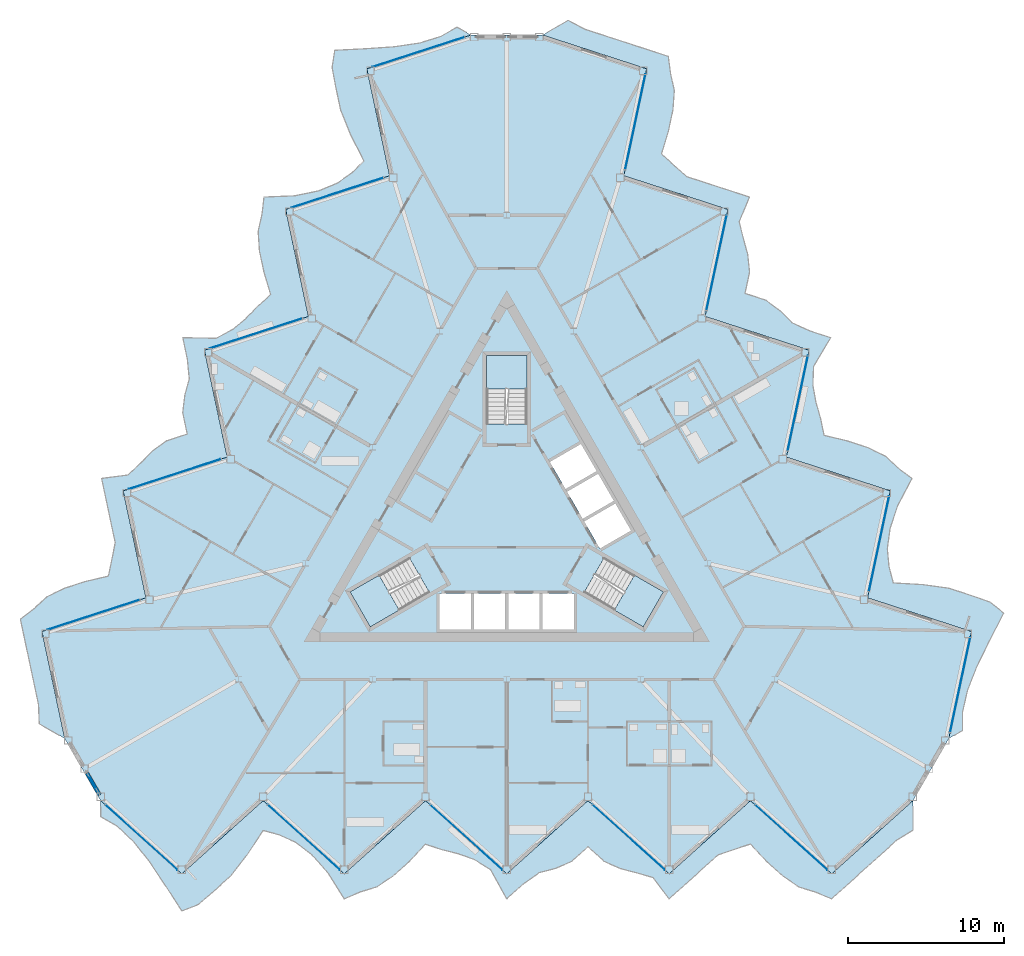
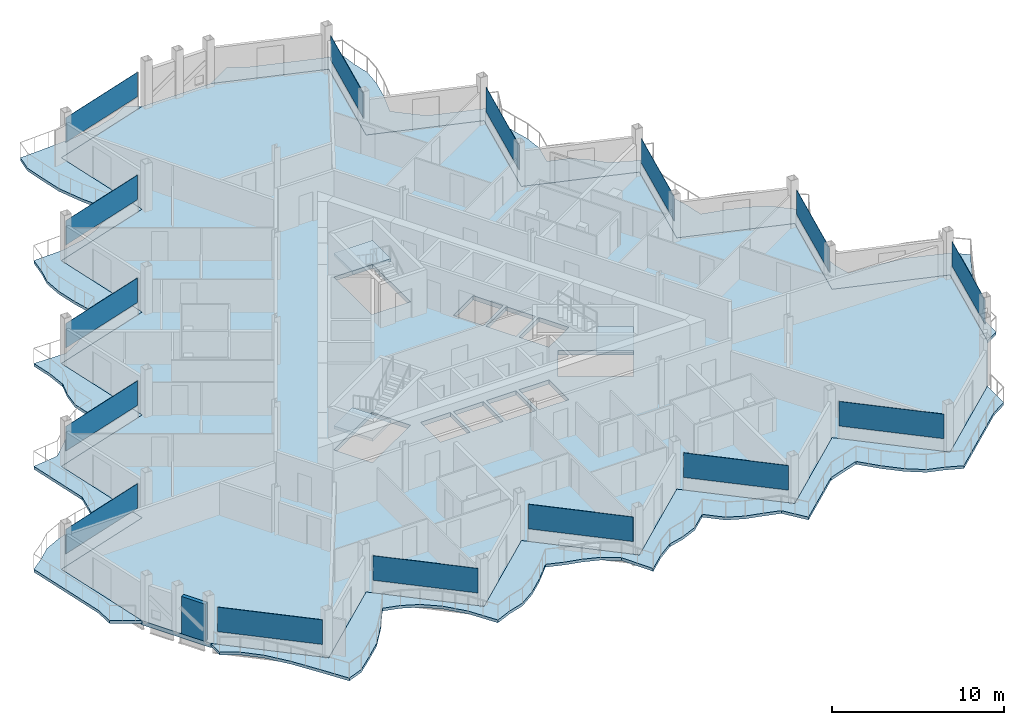
# One storey, part 11 of 25: 15 plates, 7 slabs, 1 wall, 18 elements without a shape of their own.
"""IFC4 building model written with IfcOpenShell, lengths in metres."""

from ifc_helpers import new_model, si_unit, direction, frame, frame_2d, origin, origin_2d, place, context, subcontext, project, spatial, polyline, rectangle, outline, extrude, material, layer, layer_set, type_object, element, aggregate, save


model = new_model("IFC4")

# Units and contexts
model_context = context("Model", 3, precision=1e-05, world=origin(), true_north=direction((0.0, 1.0)))
body_context = subcontext(model_context, "Body", "Model", "MODEL_VIEW")
ifc_project = project(units=[si_unit("LENGTHUNIT", "METRE"), si_unit("AREAUNIT", "SQUARE_METRE"), si_unit("VOLUMEUNIT", "CUBIC_METRE"), si_unit("PLANEANGLEUNIT", "RADIAN"), si_unit("MASSUNIT", "GRAM", prefix="KILO")], contexts=[model_context])

# Site, building, storey
site_placement = place(None, origin())
site = spatial("IfcSite", under=ifc_project, at=site_placement, CompositionType="ELEMENT")
building_placement = place(site_placement, origin())
building = spatial("IfcBuilding", under=site, at=building_placement, Name="Cormorant Prow Tower", CompositionType="ELEMENT")
storey_placement = place(building_placement, frame((0.0, 0.0, 395.0)))
storey = spatial("IfcBuildingStorey", under=building, at=storey_placement, Name="L90", CompositionType="ELEMENT", Elevation=395.0)

# Slabs
ifc_material_1 = material(Name="Concrete C40/50", Category="concrete")
ifc_layer_1 = layer(ifc_material_1, 0.199951171875)
ifc_layer_set_1 = layer_set([ifc_layer_1], Name="Concrete C40/50")
slab_type_1 = type_object("IfcSlabType", Name="Balcony slab 200", PredefinedType="FLOOR", material=ifc_layer_set_1)
slab_1_placement = place(storey_placement, frame((0.0, 0.0, -0.199951171875)))
element("IfcSlab", 1, at=slab_1_placement, inside=storey, type_object=slab_type_1, Name="Balcony slab S L90", PredefinedType="FLOOR", context=body_context, shape_type="SweptSolid", body=[
    extrude(outline(polyline([(-26.0, -17.664794921875), (-26.0, -18.680908203125), (-24.9599609375, -19.285888671875), (-23.919921875, -20.24853515625), (-22.8798828125, -21.5615234375), (-21.840087890625, -23.11376953125), (-20.800048828125, -24.72412109375), (-19.760009765625, -24.32080078125), (-18.719970703125, -23.424072265625), (-17.679931640625, -22.487548828125), (-16.639892578125, -21.15625), (-15.60009765625, -19.5673828125), (-14.56005859375, -19.8505859375), (-13.52001953125, -20.325439453125), (-12.47998046875, -21.127685546875), (-11.43994140625, -22.297119140625), (-10.39990234375, -23.94677734375), (-9.360107421875, -23.501708984375), (-8.320068359375, -23.182373046875), (-7.280029296875, -22.487548828125), (-6.239990234375, -21.55126953125), (-5.199951171875, -20.452392578125), (-4.159912109375, -20.79833984375), (-3.1201171875, -21.056884765625), (-2.080078125, -21.427490234375), (-1.0400390625, -22.076904296875), (0.0, -23.94677734375), (1.0400390625, -23.010498046875), (2.080078125, -22.268798828125), (3.1201171875, -21.99853515625), (4.159912109375, -21.55126953125), (5.199951171875, -20.61474609375), (6.239990234375, -21.55126953125), (7.280029296875, -22.0126953125), (8.320068359375, -22.28466796875), (9.360107421875, -22.5830078125), (10.39990234375, -23.94677734375), (11.43994140625, -23.010498046875), (12.47998046875, -22.073974609375), (13.52001953125, -21.1376953125), (14.56005859375, -20.782958984375), (15.60009765625, -20.441162109375), (16.639892578125, -21.55126953125), (17.679931640625, -22.487548828125), (18.719970703125, -23.194580078125), (19.760009765625, -23.517578125), (20.800048828125, -23.94677734375), (21.840087890625, -23.010498046875), (22.8798828125, -22.073974609375), (23.919921875, -21.1376953125), (24.9599609375, -20.201171875), (26.0, -19.551513671875), (26.0, -17.664794921875), (24.9599609375, -18.601318359375), (23.919921875, -19.53759765625), (22.8798828125, -20.47412109375), (21.840087890625, -21.410400390625), (20.800048828125, -22.346923828125), (19.760009765625, -21.410400390625), (18.719970703125, -20.47412109375), (17.679931640625, -19.53759765625), (16.639892578125, -18.601318359375), (15.60009765625, -17.664794921875), (14.56005859375, -18.601318359375), (13.52001953125, -19.53759765625), (12.47998046875, -20.47412109375), (11.43994140625, -21.410400390625), (10.39990234375, -22.346923828125), (9.360107421875, -21.410400390625), (8.320068359375, -20.47412109375), (7.280029296875, -19.53759765625), (6.239990234375, -18.601318359375), (5.199951171875, -17.664794921875), (4.159912109375, -18.601318359375), (3.1201171875, -19.53759765625), (2.080078125, -20.47412109375), (1.0400390625, -21.410400390625), (0.0, -22.346923828125), (-1.0400390625, -21.410400390625), (-2.080078125, -20.47412109375), (-3.1201171875, -19.53759765625), (-4.159912109375, -18.601318359375), (-5.199951171875, -17.664794921875), (-6.239990234375, -18.601318359375), (-7.280029296875, -19.53759765625), (-8.320068359375, -20.47412109375), (-9.360107421875, -21.410400390625), (-10.39990234375, -22.346923828125), (-11.43994140625, -21.410400390625), (-12.47998046875, -20.47412109375), (-13.52001953125, -19.53759765625), (-14.56005859375, -18.601318359375), (-15.60009765625, -17.664794921875), (-16.639892578125, -18.601318359375), (-17.679931640625, -19.53759765625), (-18.719970703125, -20.47412109375), (-19.760009765625, -21.410400390625), (-20.800048828125, -22.346923828125), (-21.840087890625, -21.410400390625), (-22.8798828125, -20.47412109375), (-23.919921875, -19.53759765625), (-24.9599609375, -18.601318359375), (-26.0, -17.664794921875)])), origin(), (0.0, 0.0, 1.0), 0.199951171875),
])
slab_2_placement = place(storey_placement, frame((0.0, 0.0, -0.199951171875)))
element("IfcSlab", 2, at=slab_2_placement, inside=storey, type_object=slab_type_1, Name="Balcony slab ENE L90", PredefinedType="FLOOR", context=body_context, shape_type="SweptSolid", body=[
    extrude(outline(polyline([(28.298095703125, -13.684326171875), (29.17822265625, -13.17626953125), (29.181884765625, -11.97314453125), (29.495849609375, -10.591064453125), (30.113037109375, -9.033935546875), (30.937255859375, -7.357177734375), (31.8115234375, -5.6513671875), (30.9423828125, -4.9521484375), (29.645751953125, -4.5), (28.31494140625, -4.067626953125), (26.641845703125, -3.83251953125), (24.745849609375, -3.726318359375), (24.47119140625, -2.68408203125), (24.3623046875, -1.5458984375), (24.537109375, -0.244140625), (25.02978515625, 1.2412109375), (25.938720703125, 2.966796875), (25.033203125, 3.64501953125), (24.236572265625, 4.385986328125), (23.11474609375, 4.939208984375), (21.783935546875, 5.37158203125), (20.312255859375, 5.722900390625), (20.092041015625, 6.796630859375), (19.7958984375, 7.826416015625), (19.5966796875, 8.912353515625), (19.63916015625, 10.1376953125), (20.738525390625, 11.973388671875), (19.40771484375, 12.406005859375), (18.245361328125, 12.935791015625), (17.4912109375, 13.701171875), (16.583984375, 14.378173828125), (15.2529296875, 14.810791015625), (15.5439453125, 16.1796875), (15.423583984375, 17.31103515625), (15.13916015625, 18.34765625), (14.87744140625, 19.3974609375), (15.53857421875, 20.980224609375), (14.207763671875, 21.41259765625), (12.876708984375, 21.844970703125), (11.545654296875, 22.277587890625), (10.718505859375, 23.000732421875), (9.902587890625, 23.73046875), (10.343994140625, 25.186279296875), (10.634765625, 26.55517578125), (10.72705078125, 27.809326171875), (10.48681640625, 28.871337890625), (10.338623046875, 29.98681640625), (9.007568359375, 30.419189453125), (7.6767578125, 30.851806640625), (6.345703125, 31.2841796875), (5.0146484375, 31.716552734375), (3.93212890625, 32.29248046875), (2.298095703125, 31.34912109375), (3.629150390625, 30.91650390625), (4.9599609375, 30.484130859375), (6.291015625, 30.0517578125), (7.6220703125, 29.619140625), (8.952880859375, 29.186767578125), (8.662109375, 27.81787109375), (8.37109375, 26.448974609375), (8.080078125, 25.080078125), (7.7890625, 23.711181640625), (7.498046875, 22.34228515625), (8.8291015625, 21.909912109375), (10.16015625, 21.4775390625), (11.490966796875, 21.044921875), (12.822021484375, 20.612548828125), (14.153076171875, 20.18017578125), (13.862060546875, 18.811279296875), (13.571044921875, 17.4423828125), (13.280029296875, 16.073486328125), (12.989013671875, 14.70458984375), (12.6982421875, 13.335693359375), (14.029052734375, 12.9033203125), (15.360107421875, 12.470703125), (16.691162109375, 12.038330078125), (18.02197265625, 11.60595703125), (19.35302734375, 11.17333984375), (19.06201171875, 9.8046875), (18.77099609375, 8.435791015625), (18.47998046875, 7.06689453125), (18.189208984375, 5.697998046875), (17.898193359375, 4.3291015625), (19.22900390625, 3.896484375), (20.56005859375, 3.464111328125), (21.89111328125, 3.03173828125), (23.221923828125, 2.59912109375), (24.552978515625, 2.166748046875), (24.261962890625, 0.7978515625), (23.970947265625, -0.571044921875), (23.68017578125, -1.93994140625), (23.38916015625, -3.308837890625), (23.09814453125, -4.677490234375), (24.42919921875, -5.110107421875), (25.760009765625, -5.54248046875), (27.091064453125, -5.974853515625), (28.422119140625, -6.407470703125), (29.7529296875, -6.83984375), (29.4619140625, -8.208740234375), (29.171142578125, -9.57763671875), (28.880126953125, -10.946533203125), (28.589111328125, -12.3154296875), (28.298095703125, -13.684326171875)])), origin(), (0.0, 0.0, 1.0), 0.199951171875),
])
slab_3_placement = place(storey_placement, frame((0.0, 0.0, -0.199951171875)))
element("IfcSlab", 3, at=slab_3_placement, inside=storey, type_object=slab_type_1, Name="Balcony slab WNW L90", PredefinedType="FLOOR", context=body_context, shape_type="SweptSolid", body=[
    extrude(outline(polyline([(-2.298095703125, 31.34912109375), (-3.17822265625, 31.857177734375), (-4.221923828125, 31.2587890625), (-5.575927734375, 30.839599609375), (-7.23291015625, 30.595458984375), (-9.09716796875, 30.470947265625), (-11.01171875, 30.375244140625), (-11.182373046875, 29.27294921875), (-10.92578125, 27.924072265625), (-10.634765625, 26.55517578125), (-10.001953125, 24.98876953125), (-9.14599609375, 23.293701171875), (-9.9111328125, 22.53466796875), (-10.84228515625, 21.871337890625), (-12.05712890625, 21.371826171875), (-13.58984375, 21.055908203125), (-15.53857421875, 20.980224609375), (-15.673095703125, 19.85693359375), (-15.91650390625, 18.796630859375), (-15.8349609375, 17.548583984375), (-15.5439453125, 16.1796875), (-15.1123046875, 14.7294921875), (-15.931884765625, 14.001953125), (-16.67578125, 13.23046875), (-17.516845703125, 12.51513671875), (-18.59912109375, 11.939208984375), (-20.738525390625, 11.973388671875), (-20.44775390625, 10.6044921875), (-20.325439453125, 9.3330078125), (-20.611328125, 8.297119140625), (-20.743896484375, 7.1728515625), (-20.452880859375, 5.803955078125), (-21.783935546875, 5.37158203125), (-22.70361328125, 4.70166015625), (-23.459228515625, 3.93701171875), (-24.237548828125, 3.185546875), (-25.938720703125, 2.966796875), (-25.647705078125, 1.597900390625), (-25.356689453125, 0.22900390625), (-25.065673828125, -1.139892578125), (-25.278564453125, -2.2177734375), (-25.50244140625, -3.28955078125), (-26.98388671875, -3.635009765625), (-28.31494140625, -4.067626953125), (-29.447021484375, -4.61474609375), (-30.246826171875, -5.353759765625), (-31.138671875, -6.039794921875), (-30.84765625, -7.40869140625), (-30.556640625, -8.777587890625), (-30.265625, -10.146484375), (-29.974853515625, -11.515380859375), (-29.93212890625, -12.740966796875), (-28.298095703125, -13.684326171875), (-28.589111328125, -12.3154296875), (-28.880126953125, -10.946533203125), (-29.171142578125, -9.57763671875), (-29.4619140625, -8.208740234375), (-29.7529296875, -6.83984375), (-28.422119140625, -6.407470703125), (-27.091064453125, -5.974853515625), (-25.760009765625, -5.54248046875), (-24.42919921875, -5.110107421875), (-23.09814453125, -4.677490234375), (-23.38916015625, -3.308837890625), (-23.68017578125, -1.93994140625), (-23.970947265625, -0.571044921875), (-24.261962890625, 0.7978515625), (-24.552978515625, 2.166748046875), (-23.221923828125, 2.59912109375), (-21.89111328125, 3.03173828125), (-20.56005859375, 3.464111328125), (-19.22900390625, 3.896484375), (-17.898193359375, 4.3291015625), (-18.189208984375, 5.697998046875), (-18.47998046875, 7.06689453125), (-18.77099609375, 8.435791015625), (-19.06201171875, 9.8046875), (-19.35302734375, 11.17333984375), (-18.02197265625, 11.60595703125), (-16.691162109375, 12.038330078125), (-15.360107421875, 12.470703125), (-14.029052734375, 12.9033203125), (-12.6982421875, 13.335693359375), (-12.989013671875, 14.70458984375), (-13.280029296875, 16.073486328125), (-13.571044921875, 17.4423828125), (-13.862060546875, 18.811279296875), (-14.153076171875, 20.18017578125), (-12.822021484375, 20.612548828125), (-11.490966796875, 21.044921875), (-10.16015625, 21.4775390625), (-8.8291015625, 21.909912109375), (-7.498046875, 22.34228515625), (-7.7890625, 23.711181640625), (-8.080078125, 25.080078125), (-8.37109375, 26.448974609375), (-8.662109375, 27.81787109375), (-8.952880859375, 29.186767578125), (-7.6220703125, 29.619140625), (-6.291015625, 30.0517578125), (-4.9599609375, 30.484130859375), (-3.629150390625, 30.91650390625), (-2.298095703125, 31.34912109375)])), origin(), (0.0, 0.0, 1.0), 0.199951171875),
])
ifc_material_2 = material(Name="Concrete C40/50", Category="concrete")
ifc_layer_2 = layer(ifc_material_2, 0.300048828125)
ifc_layer_set_2 = layer_set([ifc_layer_2], Name="Concrete C40/50")
slab_type_2 = type_object("IfcSlabType", Name="Post-tensioned flat slab 300", PredefinedType="FLOOR", material=ifc_layer_set_2)
slab_4_placement = place(storey_placement, frame((0.0, 0.0, -0.300048828125)))
element("IfcSlab", 4, at=slab_4_placement, inside=storey, type_object=slab_type_2, Name="Floor slab L90", PredefinedType="FLOOR", context=body_context, shape_type="SweptSolid", body=[
    extrude(outline(polyline([(-7.498046875, 22.34228515625), (-14.153076171875, 20.18017578125), (-12.6982421875, 13.335693359375), (-19.35302734375, 11.17333984375), (-17.898193359375, 4.3291015625), (-24.552978515625, 2.166748046875), (-23.09814453125, -4.677490234375), (-29.7529296875, -6.83984375), (-28.298095703125, -13.684326171875), (-27.149169921875, -15.674560546875), (-26.0, -17.664794921875), (-20.800048828125, -22.346923828125), (-15.60009765625, -17.664794921875), (-10.39990234375, -22.346923828125), (-5.199951171875, -17.664794921875), (0.0, -22.346923828125), (5.199951171875, -17.664794921875), (10.39990234375, -22.346923828125), (15.60009765625, -17.664794921875), (20.800048828125, -22.346923828125), (26.0, -17.664794921875), (27.149169921875, -15.674560546875), (28.298095703125, -13.684326171875), (29.7529296875, -6.83984375), (23.09814453125, -4.677490234375), (24.552978515625, 2.166748046875), (17.898193359375, 4.3291015625), (19.35302734375, 11.17333984375), (12.6982421875, 13.335693359375), (14.153076171875, 20.18017578125), (7.498046875, 22.34228515625), (8.952880859375, 29.186767578125), (2.298095703125, 31.34912109375), (0.0, 31.34912109375), (-2.298095703125, 31.34912109375), (-8.952880859375, 29.186767578125), (-7.498046875, 22.34228515625)]), holes=[polyline([(-4.300048828125, -4.39990234375), (-2.300048828125, -4.39990234375), (-2.300048828125, -6.699951171875), (-4.300048828125, -6.699951171875), (-4.300048828125, -4.39990234375)]), polyline([(-0.10009765625, -4.39990234375), (-0.10009765625, -6.699951171875), (-2.10009765625, -6.699951171875), (-2.10009765625, -4.39990234375), (-0.10009765625, -4.39990234375)]), polyline([(2.10009765625, -6.699951171875), (0.10009765625, -6.699951171875), (0.10009765625, -4.39990234375), (2.10009765625, -4.39990234375), (2.10009765625, -6.699951171875)]), polyline([(2.300048828125, -6.699951171875), (2.300048828125, -4.39990234375), (4.300048828125, -4.39990234375), (4.300048828125, -6.699951171875), (2.300048828125, -6.699951171875)]), polyline([(5.96044921875, -1.52392578125), (4.96044921875, 0.2080078125), (6.952392578125, 1.358154296875), (7.952392578125, -0.373779296875), (5.96044921875, -1.52392578125)]), polyline([(3.860595703125, 2.11328125), (5.852294921875, 3.263427734375), (6.852294921875, 1.53125), (4.860595703125, 0.38134765625), (3.860595703125, 2.11328125)]), polyline([(4.75244140625, 5.168701171875), (5.75244140625, 3.4365234375), (3.760498046875, 2.28662109375), (2.760498046875, 4.018798828125), (4.75244140625, 5.168701171875)]), polyline([(-4.947509765625, -4.3505859375), (-8.738037109375, -6.5390625), (-10.031982421875, -4.2978515625), (-6.241455078125, -2.109375), (-4.947509765625, -4.3505859375)]), polyline([(10.031982421875, -4.2978515625), (8.738037109375, -6.5390625), (4.947509765625, -4.3505859375), (6.241455078125, -2.109375), (10.031982421875, -4.2978515625)]), polyline([(1.2939453125, 10.8369140625), (1.2939453125, 6.459716796875), (-1.2939453125, 6.459716796875), (-1.2939453125, 10.8369140625), (1.2939453125, 10.8369140625)])]), origin(), (0.0, 0.0, 1.0), 0.300048828125),
])

# Curtain wall, plate
ifc_material_3 = material(Name="Aluminium 6063-T6", Category="aluminium")
ifc_layer_3 = layer(ifc_material_3, 0.159912109375)
ifc_layer_set_3 = layer_set([ifc_layer_3], Name="Aluminium 6063-T6")
curtain_wall_type = type_object("IfcCurtainWallType", Name="Residential unitised curtain wall 160", PredefinedType="NOTDEFINED", material=ifc_layer_set_3)
curtain_wall_1_placement = place(storey_placement, origin())
curtain_wall_1 = element("IfcCurtainWall", 5, at=curtain_wall_1_placement, inside=storey, type_object=curtain_wall_type, Name="Residential curtain wall S00", PredefinedType="NOTDEFINED")
ifc_material_4 = material(Name="Clear glass", Category="glass")
ifc_layer_4 = layer(ifc_material_4, 0.02392578125)
ifc_layer_set_4 = layer_set([ifc_layer_4], Name="Clear glass")
plate_type = type_object("IfcPlateType", Name="Residential glass panel 24", PredefinedType="CURTAIN_PANEL", material=ifc_layer_set_4)
plate_1_placement = place(storey_placement, frame((-23.38134765625, -20.0224609375, 0.89990234375), z_axis=(0.0, 0.0, 1.0), x_axis=(0.743144827638, -0.669130603959, 0.0)))
plate_1 = element("IfcPlate", 6, at=plate_1_placement, type_object=plate_type, Name="Residential glass panel S00", PredefinedType="CURTAIN_PANEL", context=body_context, shape_type="SweptSolid", body=[
    extrude(rectangle(XDim=6.21533203125, YDim=0.02392578125, at=origin_2d()), origin(), (0.0, 0.0, 1.0), 1.73388671875),
])
aggregate(curtain_wall_1, [plate_1])

curtain_wall_2_placement = place(storey_placement, origin())
curtain_wall_2 = element("IfcCurtainWall", 7, at=curtain_wall_2_placement, inside=storey, type_object=curtain_wall_type, Name="Residential curtain wall S02", PredefinedType="NOTDEFINED")
plate_2_placement = place(storey_placement, frame((-12.9814453125, -20.0224609375, 0.89990234375), z_axis=(0.0, 0.0, 1.0), x_axis=(0.743144827638, -0.669130603959, 0.0)))
plate_2 = element("IfcPlate", 8, at=plate_2_placement, type_object=plate_type, Name="Residential glass panel S02", PredefinedType="CURTAIN_PANEL", context=body_context, shape_type="SweptSolid", body=[
    extrude(rectangle(XDim=6.21533203125, YDim=0.02392578125, at=origin_2d()), origin(), (0.0, 0.0, 1.0), 1.73388671875),
])
aggregate(curtain_wall_2, [plate_2])

curtain_wall_3_placement = place(storey_placement, origin())
curtain_wall_3 = element("IfcCurtainWall", 9, at=curtain_wall_3_placement, inside=storey, type_object=curtain_wall_type, Name="Residential curtain wall S04", PredefinedType="NOTDEFINED")
plate_3_placement = place(storey_placement, frame((-2.58154296875, -20.0224609375, 0.89990234375), z_axis=(0.0, 0.0, 1.0), x_axis=(0.743144827638, -0.669130603959, 0.0)))
plate_3 = element("IfcPlate", 10, at=plate_3_placement, type_object=plate_type, Name="Residential glass panel S04", PredefinedType="CURTAIN_PANEL", context=body_context, shape_type="SweptSolid", body=[
    extrude(rectangle(XDim=6.21533203125, YDim=0.02392578125, at=origin_2d()), origin(), (0.0, 0.0, 1.0), 1.73388671875),
])
aggregate(curtain_wall_3, [plate_3])

curtain_wall_4_placement = place(storey_placement, origin())
curtain_wall_4 = element("IfcCurtainWall", 11, at=curtain_wall_4_placement, inside=storey, type_object=curtain_wall_type, Name="Residential curtain wall S06", PredefinedType="NOTDEFINED")
plate_4_placement = place(storey_placement, frame((7.818603515625, -20.0224609375, 0.89990234375), z_axis=(0.0, 0.0, 1.0), x_axis=(0.743144827638, -0.669130603959, 0.0)))
plate_4 = element("IfcPlate", 12, at=plate_4_placement, type_object=plate_type, Name="Residential glass panel S06", PredefinedType="CURTAIN_PANEL", context=body_context, shape_type="SweptSolid", body=[
    extrude(rectangle(XDim=6.21533203125, YDim=0.02392578125, at=origin_2d()), origin(), (0.0, 0.0, 1.0), 1.73388671875),
])
aggregate(curtain_wall_4, [plate_4])

curtain_wall_5_placement = place(storey_placement, origin())
curtain_wall_5 = element("IfcCurtainWall", 13, at=curtain_wall_5_placement, inside=storey, type_object=curtain_wall_type, Name="Residential curtain wall S08", PredefinedType="NOTDEFINED")
plate_5_placement = place(storey_placement, frame((18.218505859375, -20.0224609375, 0.89990234375), z_axis=(0.0, 0.0, 1.0), x_axis=(0.743144827638, -0.669130603959, 0.0)))
plate_5 = element("IfcPlate", 14, at=plate_5_placement, type_object=plate_type, Name="Residential glass panel S08", PredefinedType="CURTAIN_PANEL", context=body_context, shape_type="SweptSolid", body=[
    extrude(rectangle(XDim=6.21533203125, YDim=0.02392578125, at=origin_2d()), origin(), (0.0, 0.0, 1.0), 1.73388671875),
])
aggregate(curtain_wall_5, [plate_5])

curtain_wall_6_placement = place(storey_placement, origin())
curtain_wall_6 = element("IfcCurtainWall", 15, at=curtain_wall_6_placement, inside=storey, type_object=curtain_wall_type, Name="Residential curtain wall ENE00", PredefinedType="NOTDEFINED")
plate_6_placement = place(storey_placement, frame((29.03076171875, -10.237548828125, 0.89990234375), z_axis=(0.0, 0.0, 1.0), x_axis=(0.207911620089, 0.978147615768, 0.0)))
plate_6 = element("IfcPlate", 16, at=plate_6_placement, type_object=plate_type, Name="Residential glass panel ENE00", PredefinedType="CURTAIN_PANEL", context=body_context, shape_type="SweptSolid", body=[
    extrude(rectangle(XDim=6.21533203125, YDim=0.02392578125, at=origin_2d()), origin(), (0.0, 0.0, 1.0), 1.73388671875),
])
aggregate(curtain_wall_6, [plate_6])

curtain_wall_7_placement = place(storey_placement, origin())
curtain_wall_7 = element("IfcCurtainWall", 17, at=curtain_wall_7_placement, inside=storey, type_object=curtain_wall_type, Name="Residential curtain wall ENE02", PredefinedType="NOTDEFINED")
plate_7_placement = place(storey_placement, frame((23.830810546875, -1.23095703125, 0.89990234375), z_axis=(0.0, 0.0, 1.0), x_axis=(0.207911649162, 0.978147609588, 0.0)))
plate_7 = element("IfcPlate", 18, at=plate_7_placement, type_object=plate_type, Name="Residential glass panel ENE02", PredefinedType="CURTAIN_PANEL", context=body_context, shape_type="SweptSolid", body=[
    extrude(rectangle(XDim=6.21533203125, YDim=0.02392578125, at=origin_2d()), origin(), (0.0, 0.0, 1.0), 1.73388671875),
])
aggregate(curtain_wall_7, [plate_7])

curtain_wall_8_placement = place(storey_placement, origin())
curtain_wall_8 = element("IfcCurtainWall", 19, at=curtain_wall_8_placement, inside=storey, type_object=curtain_wall_type, Name="Residential curtain wall ENE04", PredefinedType="NOTDEFINED")
plate_8_placement = place(storey_placement, frame((18.630859375, 7.775634765625, 0.89990234375), z_axis=(0.0, 0.0, 1.0), x_axis=(0.207911649162, 0.978147609588, 0.0)))
plate_8 = element("IfcPlate", 20, at=plate_8_placement, type_object=plate_type, Name="Residential glass panel ENE04", PredefinedType="CURTAIN_PANEL", context=body_context, shape_type="SweptSolid", body=[
    extrude(rectangle(XDim=6.21533203125, YDim=0.02392578125, at=origin_2d()), origin(), (0.0, 0.0, 1.0), 1.73388671875),
])
aggregate(curtain_wall_8, [plate_8])

curtain_wall_9_placement = place(storey_placement, origin())
curtain_wall_9 = element("IfcCurtainWall", 21, at=curtain_wall_9_placement, inside=storey, type_object=curtain_wall_type, Name="Residential curtain wall ENE06", PredefinedType="NOTDEFINED")
plate_9_placement = place(storey_placement, frame((13.4306640625, 16.782470703125, 0.89990234375), z_axis=(0.0, 0.0, 1.0), x_axis=(0.207911620089, 0.978147615768, 0.0)))
plate_9 = element("IfcPlate", 22, at=plate_9_placement, type_object=plate_type, Name="Residential glass panel ENE06", PredefinedType="CURTAIN_PANEL", context=body_context, shape_type="SweptSolid", body=[
    extrude(rectangle(XDim=6.21533203125, YDim=0.02392578125, at=origin_2d()), origin(), (0.0, 0.0, 1.0), 1.73388671875),
])
aggregate(curtain_wall_9, [plate_9])

curtain_wall_10_placement = place(storey_placement, origin())
curtain_wall_10 = element("IfcCurtainWall", 23, at=curtain_wall_10_placement, inside=storey, type_object=curtain_wall_type, Name="Residential curtain wall ENE08", PredefinedType="NOTDEFINED")
plate_10_placement = place(storey_placement, frame((8.230712890625, 25.7890625, 0.89990234375), z_axis=(0.0, 0.0, 1.0), x_axis=(0.207911620089, 0.978147615768, 0.0)))
plate_10 = element("IfcPlate", 24, at=plate_10_placement, type_object=plate_type, Name="Residential glass panel ENE08", PredefinedType="CURTAIN_PANEL", context=body_context, shape_type="SweptSolid", body=[
    extrude(rectangle(XDim=6.21533203125, YDim=0.02392578125, at=origin_2d()), origin(), (0.0, 0.0, 1.0), 1.73388671875),
])
aggregate(curtain_wall_10, [plate_10])

curtain_wall_11_placement = place(storey_placement, origin())
curtain_wall_11 = element("IfcCurtainWall", 25, at=curtain_wall_11_placement, inside=storey, type_object=curtain_wall_type, Name="Residential curtain wall WNW00", PredefinedType="NOTDEFINED")
plate_11_placement = place(storey_placement, frame((-5.6494140625, 30.26025390625, 0.89990234375), z_axis=(0.0, 0.0, 1.0), x_axis=(-0.951056534902, -0.309016937108, 0.0)))
plate_11 = element("IfcPlate", 26, at=plate_11_placement, type_object=plate_type, Name="Residential glass panel WNW00", PredefinedType="CURTAIN_PANEL", context=body_context, shape_type="SweptSolid", body=[
    extrude(rectangle(XDim=6.21533203125, YDim=0.02392578125, at=origin_2d()), origin(), (0.0, 0.0, 1.0), 1.73388671875),
])
aggregate(curtain_wall_11, [plate_11])

curtain_wall_12_placement = place(storey_placement, origin())
curtain_wall_12 = element("IfcCurtainWall", 27, at=curtain_wall_12_placement, inside=storey, type_object=curtain_wall_type, Name="Residential curtain wall WNW02", PredefinedType="NOTDEFINED")
plate_12_placement = place(storey_placement, frame((-10.849365234375, 21.25341796875, 0.89990234375), z_axis=(0.0, 0.0, 1.0), x_axis=(-0.951056534902, -0.309016937108, 0.0)))
plate_12 = element("IfcPlate", 28, at=plate_12_placement, type_object=plate_type, Name="Residential glass panel WNW02", PredefinedType="CURTAIN_PANEL", context=body_context, shape_type="SweptSolid", body=[
    extrude(rectangle(XDim=6.21533203125, YDim=0.02392578125, at=origin_2d()), origin(), (0.0, 0.0, 1.0), 1.73388671875),
])
aggregate(curtain_wall_12, [plate_12])

curtain_wall_13_placement = place(storey_placement, origin())
curtain_wall_13 = element("IfcCurtainWall", 29, at=curtain_wall_13_placement, inside=storey, type_object=curtain_wall_type, Name="Residential curtain wall WNW04", PredefinedType="NOTDEFINED")
plate_13_placement = place(storey_placement, frame((-16.04931640625, 12.246826171875, 0.89990234375), z_axis=(0.0, 0.0, 1.0), x_axis=(-0.951056492904, -0.309017066365, 0.0)))
plate_13 = element("IfcPlate", 30, at=plate_13_placement, type_object=plate_type, Name="Residential glass panel WNW04", PredefinedType="CURTAIN_PANEL", context=body_context, shape_type="SweptSolid", body=[
    extrude(rectangle(XDim=6.21533203125, YDim=0.02392578125, at=origin_2d()), origin(), (0.0, 0.0, 1.0), 1.73388671875),
])
aggregate(curtain_wall_13, [plate_13])

curtain_wall_14_placement = place(storey_placement, origin())
curtain_wall_14 = element("IfcCurtainWall", 31, at=curtain_wall_14_placement, inside=storey, type_object=curtain_wall_type, Name="Residential curtain wall WNW06", PredefinedType="NOTDEFINED")
plate_14_placement = place(storey_placement, frame((-21.249267578125, 3.240234375, 0.89990234375), z_axis=(0.0, 0.0, 1.0), x_axis=(-0.951056492904, -0.309017066365, 0.0)))
plate_14 = element("IfcPlate", 32, at=plate_14_placement, type_object=plate_type, Name="Residential glass panel WNW06", PredefinedType="CURTAIN_PANEL", context=body_context, shape_type="SweptSolid", body=[
    extrude(rectangle(XDim=6.21533203125, YDim=0.02392578125, at=origin_2d()), origin(), (0.0, 0.0, 1.0), 1.73388671875),
])
aggregate(curtain_wall_14, [plate_14])

curtain_wall_15_placement = place(storey_placement, origin())
curtain_wall_15 = element("IfcCurtainWall", 33, at=curtain_wall_15_placement, inside=storey, type_object=curtain_wall_type, Name="Residential curtain wall WNW08", PredefinedType="NOTDEFINED")
plate_15_placement = place(storey_placement, frame((-26.44921875, -5.766357421875, 0.89990234375), z_axis=(0.0, 0.0, 1.0), x_axis=(-0.951056492904, -0.309017066365, 0.0)))
plate_15 = element("IfcPlate", 34, at=plate_15_placement, type_object=plate_type, Name="Residential glass panel WNW08", PredefinedType="CURTAIN_PANEL", context=body_context, shape_type="SweptSolid", body=[
    extrude(rectangle(XDim=6.21533203125, YDim=0.02392578125, at=origin_2d()), origin(), (0.0, 0.0, 1.0), 1.73388671875),
])
aggregate(curtain_wall_15, [plate_15])

# Stair, slab
ifc_material_5 = material(Name="Exit stair 18 risers")
stair_type = type_object("IfcStairType", Name="Exit stair 18 risers", PredefinedType="HALF_TURN_STAIR", material=ifc_material_5)
stair_1_placement = place(storey_placement, origin())
stair_1 = element("IfcStair", 35, at=stair_1_placement, inside=storey, type_object=stair_type, Name="L90 Exit stair ST1", PredefinedType="HALF_TURN_STAIR")
ifc_material_6 = material(Name="Concrete 5000 psi", Category="concrete")
ifc_layer_5 = layer(ifc_material_6, 0.199951171875)
ifc_layer_set_5 = layer_set([ifc_layer_5], Name="Concrete 5000 psi")
slab_type_3 = type_object("IfcSlabType", Name="Stair landing 200", PredefinedType="LANDING", material=ifc_layer_set_5)
slab_5_placement = place(storey_placement, frame((0.0, 0.0, 1.5)))
slab_5 = element("IfcSlab", 36, at=slab_5_placement, type_object=slab_type_3, Name="ST1 landing 1", PredefinedType="LANDING", context=body_context, shape_type="SweptSolid", body=[
    extrude(outline(polyline([(-8.17431640625, -3.225341796875), (-10.031982421875, -4.2978515625), (-8.738037109375, -6.5390625), (-6.88037109375, -5.466552734375), (-8.17431640625, -3.225341796875)])), origin(), (0.0, 0.0, 1.0), 0.199951171875),
])
aggregate(stair_1, [slab_5])

stair_2_placement = place(storey_placement, origin())
stair_2 = element("IfcStair", 37, at=stair_2_placement, inside=storey, type_object=stair_type, Name="L90 Exit stair ST2", PredefinedType="HALF_TURN_STAIR")
slab_6_placement = place(storey_placement, frame((0.0, 0.0, 1.5)))
slab_6 = element("IfcSlab", 38, at=slab_6_placement, type_object=slab_type_3, Name="ST2 landing 1", PredefinedType="LANDING", context=body_context, shape_type="SweptSolid", body=[
    extrude(outline(polyline([(6.88037109375, -5.466552734375), (8.738037109375, -6.5390625), (10.031982421875, -4.2978515625), (8.17431640625, -3.225341796875), (6.88037109375, -5.466552734375)])), origin(), (0.0, 0.0, 1.0), 0.199951171875),
])
aggregate(stair_2, [slab_6])

stair_3_placement = place(storey_placement, origin())
stair_3 = element("IfcStair", 39, at=stair_3_placement, inside=storey, type_object=stair_type, Name="L90 Exit stair ST3", PredefinedType="HALF_TURN_STAIR")
slab_7_placement = place(storey_placement, frame((0.0, 0.0, 1.5)))
slab_7 = element("IfcSlab", 40, at=slab_7_placement, type_object=slab_type_3, Name="ST3 landing 1", PredefinedType="LANDING", context=body_context, shape_type="SweptSolid", body=[
    extrude(outline(polyline([(1.2939453125, 8.69189453125), (1.2939453125, 10.8369140625), (-1.2939453125, 10.8369140625), (-1.2939453125, 8.69189453125), (1.2939453125, 8.69189453125)])), origin(), (0.0, 0.0, 1.0), 0.199951171875),
])
aggregate(stair_3, [slab_7])

# Wall
ifc_material_7 = material(Name="Terracotta", Category="masonry")
ifc_layer_6 = layer(ifc_material_7, 0.25)
ifc_layer_set_6 = layer_set([ifc_layer_6], Name="Terracotta")
wall_type = type_object("IfcWallType", Name="Terracotta bay wall 250", PredefinedType="SOLIDWALL", material=ifc_layer_set_6)
wall_placement = place(storey_placement, frame((-26.87353515625, -15.90185546875, 0.0), z_axis=(0.0, 0.0, 1.0), x_axis=(0.500017882314, -0.866015079179, 0.0)))
element("IfcWall", 41, at=wall_placement, inside=storey, type_object=wall_type, Name="Terracotta bay wall WSW01", PredefinedType="SOLIDWALL", context=body_context, shape_type="SweptSolid", body=[
    extrude(rectangle(XDim=1.59765625, YDim=0.25, at=frame_2d((0.798828125, 0.0))), origin(), (0.0, 0.0, 1.0), 2.6337890625),
])

save(model, "model.ifc")
